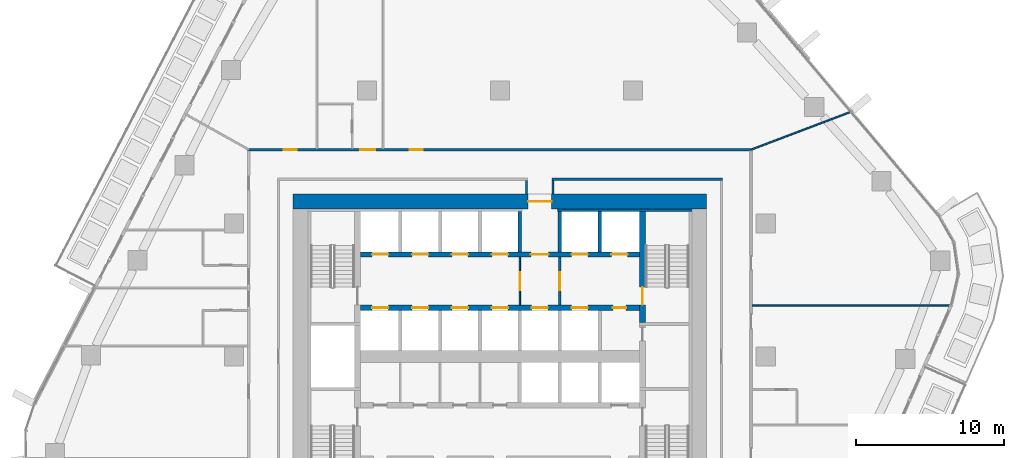
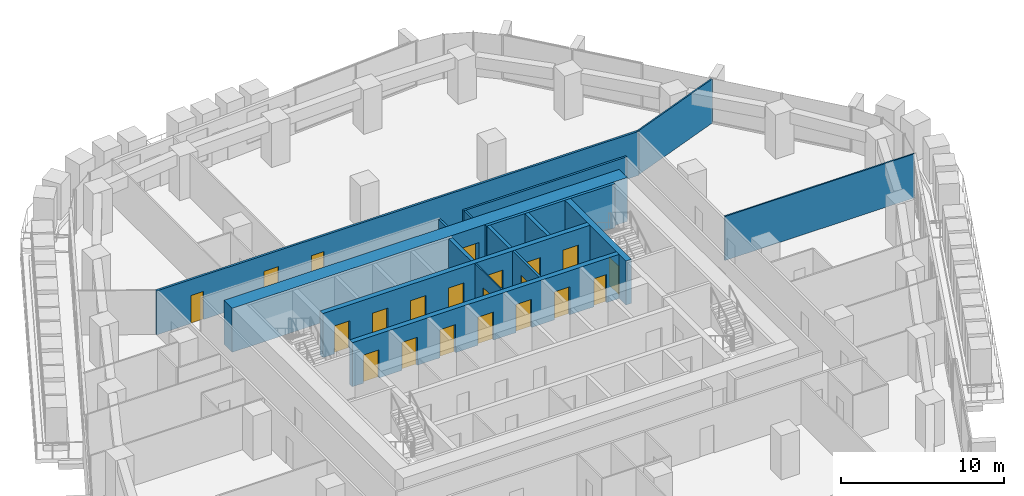
# One storey, part 16 of 23: 21 doors, 16 walls, 21 openings.
"""IFC4 building model written with IfcOpenShell, lengths in metres."""

from ifc_helpers import new_model, si_unit, direction, frame, frame_2d, origin, place, context, subcontext, project, spatial, rectangle, extrude, material, layer, layer_set, type_object, element, fill, save


model = new_model("IFC4")

# Units and contexts
model_context = context("Model", 3, precision=1e-05, world=origin(), true_north=direction((0.0, 1.0)))
body_context = subcontext(model_context, "Body", "Model", "MODEL_VIEW")
ifc_project = project(units=[si_unit("LENGTHUNIT", "METRE"), si_unit("AREAUNIT", "SQUARE_METRE"), si_unit("VOLUMEUNIT", "CUBIC_METRE"), si_unit("PLANEANGLEUNIT", "RADIAN"), si_unit("MASSUNIT", "GRAM", prefix="KILO")], contexts=[model_context])

# Site, building, storey
site_placement = place(None, origin())
site = spatial("IfcSite", under=ifc_project, at=site_placement, CompositionType="ELEMENT")
building_placement = place(site_placement, origin())
building = spatial("IfcBuilding", under=site, at=building_placement, Name="Dongbaek Canopy Tower", CompositionType="ELEMENT")
storey_placement = place(building_placement, frame((0.0, 0.0, 132.199951171875)))
storey = spatial("IfcBuildingStorey", under=building, at=storey_placement, Name="L29", CompositionType="ELEMENT", Elevation=132.199951171875)

# Wall, openings, doors
ifc_material_1 = material(Name="Concrete C60/75", Category="concrete")
ifc_layer_1 = layer(ifc_material_1, 0.35009765625)
ifc_layer_set_1 = layer_set([ifc_layer_1], Name="Core lobby wall 350 Concrete C60/75")
wall_type_1 = type_object("IfcWallType", Name="Core lobby wall 350 Concrete C60/75", PredefinedType="SHEAR", material=ifc_layer_set_1)
wall_1_placement = place(storey_placement, frame((-9.449951171875, 6.89990234375, 0.0), z_axis=(0.0, 0.0, 1.0), x_axis=(1.0, 0.0, 0.0)))
wall_1 = element("IfcWall", 1, at=wall_1_placement, inside=storey, type_object=wall_type_1, Name="Core wall", PredefinedType="SHEAR", context=body_context, shape_type="SweptSolid", body=[
    extrude(rectangle(XDim=18.89990234375, YDim=0.35009765625, at=frame_2d((9.449951171875, 0.0))), origin(), (0.0, 0.0, 1.0), 3.300048828125),
])
opening_1_placement = place(wall_1_placement, frame((0.800048828125, 0.0, 0.0)))
opening_1 = element("IfcOpeningElement", 2, at=opening_1_placement, cuts=wall_1, Name="Opening L29-D026", PredefinedType="OPENING", context=body_context, shape_type="SweptSolid", body=[
    extrude(rectangle(XDim=1.10009765625, YDim=2.10009765625, at=frame_2d((0.550048828125, 1.050048828125))), frame((0.0, 0.18505859375, 0.0), z_axis=(0.0, -1.0, 0.0), x_axis=(1.0, 0.0, 0.0)), (0.0, 0.0, 1.0), 0.3701171875),
])
opening_2_placement = place(wall_1_placement, frame((3.5, 0.0, 0.0)))
opening_2 = element("IfcOpeningElement", 3, at=opening_2_placement, cuts=wall_1, Name="Opening L29-D027", PredefinedType="OPENING", context=body_context, shape_type="SweptSolid", body=[
    extrude(rectangle(XDim=1.10009765625, YDim=2.10009765625, at=frame_2d((0.550048828125, 1.050048828125))), frame((0.0, 0.18505859375, 0.0), z_axis=(0.0, -1.0, 0.0), x_axis=(1.0, 0.0, 0.0)), (0.0, 0.0, 1.0), 0.3701171875),
])
opening_3_placement = place(wall_1_placement, frame((6.199951171875, 0.0, 0.0)))
opening_3 = element("IfcOpeningElement", 4, at=opening_3_placement, cuts=wall_1, Name="Opening L29-D028", PredefinedType="OPENING", context=body_context, shape_type="SweptSolid", body=[
    extrude(rectangle(XDim=1.10009765625, YDim=2.10009765625, at=frame_2d((0.550048828125, 1.050048828125))), frame((0.0, 0.18505859375, 0.0), z_axis=(0.0, -1.0, 0.0), x_axis=(1.0, 0.0, 0.0)), (0.0, 0.0, 1.0), 0.3701171875),
])
opening_4_placement = place(wall_1_placement, frame((8.89990234375, 0.0, 0.0)))
opening_4 = element("IfcOpeningElement", 5, at=opening_4_placement, cuts=wall_1, Name="Opening L29-D029", PredefinedType="OPENING", context=body_context, shape_type="SweptSolid", body=[
    extrude(rectangle(XDim=1.10009765625, YDim=2.10009765625, at=frame_2d((0.550048828125, 1.050048828125))), frame((0.0, 0.18505859375, 0.0), z_axis=(0.0, -1.0, 0.0), x_axis=(1.0, 0.0, 0.0)), (0.0, 0.0, 1.0), 0.3701171875),
])
opening_5_placement = place(wall_1_placement, frame((11.550048828125, 0.0, 0.0)))
opening_5 = element("IfcOpeningElement", 6, at=opening_5_placement, cuts=wall_1, Name="Opening L29-D031", PredefinedType="OPENING", context=body_context, shape_type="SweptSolid", body=[
    extrude(rectangle(XDim=1.199951171875, YDim=2.10009765625, at=frame_2d((0.60009765625, 1.050048828125))), frame((0.0, 0.18505859375, 0.0), z_axis=(0.0, -1.0, 0.0), x_axis=(1.0, 0.0, 0.0)), (0.0, 0.0, 1.0), 0.3701171875),
])
opening_6_placement = place(wall_1_placement, frame((14.300048828125, 0.0, 0.0)))
opening_6 = element("IfcOpeningElement", 7, at=opening_6_placement, cuts=wall_1, Name="Opening L29-D032", PredefinedType="OPENING", context=body_context, shape_type="SweptSolid", body=[
    extrude(rectangle(XDim=1.10009765625, YDim=2.10009765625, at=frame_2d((0.550048828125, 1.050048828125))), frame((0.0, 0.18505859375, 0.0), z_axis=(0.0, -1.0, 0.0), x_axis=(1.0, 0.0, 0.0)), (0.0, 0.0, 1.0), 0.3701171875),
])
opening_7_placement = place(wall_1_placement, frame((17.0, 0.0, 0.0)))
opening_7 = element("IfcOpeningElement", 8, at=opening_7_placement, cuts=wall_1, Name="Opening L29-D033", PredefinedType="OPENING", context=body_context, shape_type="SweptSolid", body=[
    extrude(rectangle(XDim=1.10009765625, YDim=2.10009765625, at=frame_2d((0.550048828125, 1.050048828125))), frame((0.0, 0.18505859375, 0.0), z_axis=(0.0, -1.0, 0.0), x_axis=(1.0, 0.0, 0.0)), (0.0, 0.0, 1.0), 0.3701171875),
])
ifc_material_2 = material(Name="Steel", Category="steel")
door_type_1 = type_object("IfcDoorType", Name="Fire lobby door 1200 x 2100", OperationType="SINGLE_SWING_LEFT", PredefinedType="DOOR", material=ifc_material_2)
door_1_placement = place(opening_5_placement, origin())
door_1 = element("IfcDoor", 9, at=door_1_placement, inside=storey, type_object=door_type_1, Name="Door L29-D031", OperationType="SINGLE_SWING_LEFT", OverallHeight=2.10009765625, OverallWidth=1.199951171875, PredefinedType="DOOR", context=body_context, shape_type="SweptSolid", body=[
    extrude(rectangle(XDim=1.199951171875, YDim=2.10009765625, at=frame_2d((0.60009765625, 1.050048828125))), frame((0.0, 0.02490234375, 0.0), z_axis=(0.0, -1.0, 0.0), x_axis=(1.0, 0.0, 0.0)), (0.0, 0.0, 1.0), 0.050048828125),
])
fill(opening_5, door_1)
ifc_material_3 = material(Name="Stainless steel", Category="steel")
door_type_2 = type_object("IfcDoorType", Name="Lift landing door 1100 x 2100", OperationType="DOUBLE_DOOR_SLIDING", PredefinedType="DOOR", material=ifc_material_3)
door_2_placement = place(opening_1_placement, origin())
door_2 = element("IfcDoor", 10, at=door_2_placement, inside=storey, type_object=door_type_2, Name="Landing door LR1", OperationType="DOUBLE_DOOR_SLIDING", OverallHeight=2.10009765625, OverallWidth=1.10009765625, PredefinedType="DOOR", context=body_context, shape_type="SweptSolid", body=[
    extrude(rectangle(XDim=1.10009765625, YDim=2.10009765625, at=frame_2d((0.550048828125, 1.050048828125))), frame((0.0, 0.02490234375, 0.0), z_axis=(0.0, -1.0, 0.0), x_axis=(1.0, 0.0, 0.0)), (0.0, 0.0, 1.0), 0.050048828125),
])
fill(opening_1, door_2)
door_3_placement = place(opening_2_placement, origin())
door_3 = element("IfcDoor", 11, at=door_3_placement, inside=storey, type_object=door_type_2, Name="Landing door LR2", OperationType="DOUBLE_DOOR_SLIDING", OverallHeight=2.10009765625, OverallWidth=1.10009765625, PredefinedType="DOOR", context=body_context, shape_type="SweptSolid", body=[
    extrude(rectangle(XDim=1.10009765625, YDim=2.10009765625, at=frame_2d((0.550048828125, 1.050048828125))), frame((0.0, 0.02490234375, 0.0), z_axis=(0.0, -1.0, 0.0), x_axis=(1.0, 0.0, 0.0)), (0.0, 0.0, 1.0), 0.050048828125),
])
fill(opening_2, door_3)
door_4_placement = place(opening_3_placement, origin())
door_4 = element("IfcDoor", 12, at=door_4_placement, inside=storey, type_object=door_type_2, Name="Landing door LR3", OperationType="DOUBLE_DOOR_SLIDING", OverallHeight=2.10009765625, OverallWidth=1.10009765625, PredefinedType="DOOR", context=body_context, shape_type="SweptSolid", body=[
    extrude(rectangle(XDim=1.10009765625, YDim=2.10009765625, at=frame_2d((0.550048828125, 1.050048828125))), frame((0.0, 0.02490234375, 0.0), z_axis=(0.0, -1.0, 0.0), x_axis=(1.0, 0.0, 0.0)), (0.0, 0.0, 1.0), 0.050048828125),
])
fill(opening_3, door_4)
door_5_placement = place(opening_4_placement, origin())
door_5 = element("IfcDoor", 13, at=door_5_placement, inside=storey, type_object=door_type_2, Name="Landing door LR4", OperationType="DOUBLE_DOOR_SLIDING", OverallHeight=2.10009765625, OverallWidth=1.10009765625, PredefinedType="DOOR", context=body_context, shape_type="SweptSolid", body=[
    extrude(rectangle(XDim=1.10009765625, YDim=2.10009765625, at=frame_2d((0.550048828125, 1.050048828125))), frame((0.0, 0.02490234375, 0.0), z_axis=(0.0, -1.0, 0.0), x_axis=(1.0, 0.0, 0.0)), (0.0, 0.0, 1.0), 0.050048828125),
])
fill(opening_4, door_5)
door_6_placement = place(opening_6_placement, origin())
door_6 = element("IfcDoor", 14, at=door_6_placement, inside=storey, type_object=door_type_2, Name="Landing door FF1", OperationType="DOUBLE_DOOR_SLIDING", OverallHeight=2.10009765625, OverallWidth=1.10009765625, PredefinedType="DOOR", context=body_context, shape_type="SweptSolid", body=[
    extrude(rectangle(XDim=1.10009765625, YDim=2.10009765625, at=frame_2d((0.550048828125, 1.050048828125))), frame((0.0, 0.02490234375, 0.0), z_axis=(0.0, -1.0, 0.0), x_axis=(1.0, 0.0, 0.0)), (0.0, 0.0, 1.0), 0.050048828125),
])
fill(opening_6, door_6)
door_7_placement = place(opening_7_placement, origin())
door_7 = element("IfcDoor", 15, at=door_7_placement, inside=storey, type_object=door_type_2, Name="Landing door FF2", OperationType="DOUBLE_DOOR_SLIDING", OverallHeight=2.10009765625, OverallWidth=1.10009765625, PredefinedType="DOOR", context=body_context, shape_type="SweptSolid", body=[
    extrude(rectangle(XDim=1.10009765625, YDim=2.10009765625, at=frame_2d((0.550048828125, 1.050048828125))), frame((0.0, 0.02490234375, 0.0), z_axis=(0.0, -1.0, 0.0), x_axis=(1.0, 0.0, 0.0)), (0.0, 0.0, 1.0), 0.050048828125),
])
fill(opening_7, door_7)

wall_2_placement = place(storey_placement, frame((9.449951171875, 3.300048828125, 0.0), z_axis=(0.0, 0.0, 1.0), x_axis=(-1.0, 0.0, 0.0)))
wall_2 = element("IfcWall", 16, at=wall_2_placement, inside=storey, type_object=wall_type_1, Name="Core wall", PredefinedType="SHEAR", context=body_context, shape_type="SweptSolid", body=[
    extrude(rectangle(XDim=18.89990234375, YDim=0.35009765625, at=frame_2d((9.449951171875, 0.0))), origin(), (0.0, 0.0, 1.0), 3.300048828125),
])
opening_8_placement = place(wall_2_placement, frame((17.0, 0.0, 0.0)))
opening_8 = element("IfcOpeningElement", 17, at=opening_8_placement, cuts=wall_2, Name="Opening L29-D034", PredefinedType="OPENING", context=body_context, shape_type="SweptSolid", body=[
    extrude(rectangle(XDim=1.10009765625, YDim=2.10009765625, at=frame_2d((0.550048828125, 1.050048828125))), frame((0.0, 0.18505859375, 0.0), z_axis=(0.0, -1.0, 0.0), x_axis=(1.0, 0.0, 0.0)), (0.0, 0.0, 1.0), 0.3701171875),
])
opening_9_placement = place(wall_2_placement, frame((14.300048828125, 0.0, 0.0)))
opening_9 = element("IfcOpeningElement", 18, at=opening_9_placement, cuts=wall_2, Name="Opening L29-D035", PredefinedType="OPENING", context=body_context, shape_type="SweptSolid", body=[
    extrude(rectangle(XDim=1.10009765625, YDim=2.10009765625, at=frame_2d((0.550048828125, 1.050048828125))), frame((0.0, 0.18505859375, 0.0), z_axis=(0.0, -1.0, 0.0), x_axis=(1.0, 0.0, 0.0)), (0.0, 0.0, 1.0), 0.3701171875),
])
opening_10_placement = place(wall_2_placement, frame((11.60009765625, 0.0, 0.0)))
opening_10 = element("IfcOpeningElement", 19, at=opening_10_placement, cuts=wall_2, Name="Opening L29-D036", PredefinedType="OPENING", context=body_context, shape_type="SweptSolid", body=[
    extrude(rectangle(XDim=1.10009765625, YDim=2.10009765625, at=frame_2d((0.550048828125, 1.050048828125))), frame((0.0, 0.18505859375, 0.0), z_axis=(0.0, -1.0, 0.0), x_axis=(1.0, 0.0, 0.0)), (0.0, 0.0, 1.0), 0.3701171875),
])
opening_11_placement = place(wall_2_placement, frame((8.89990234375, 0.0, 0.0)))
opening_11 = element("IfcOpeningElement", 20, at=opening_11_placement, cuts=wall_2, Name="Opening L29-D037", PredefinedType="OPENING", context=body_context, shape_type="SweptSolid", body=[
    extrude(rectangle(XDim=1.10009765625, YDim=2.10009765625, at=frame_2d((0.550048828125, 1.050048828125))), frame((0.0, 0.18505859375, 0.0), z_axis=(0.0, -1.0, 0.0), x_axis=(1.0, 0.0, 0.0)), (0.0, 0.0, 1.0), 0.3701171875),
])
opening_12_placement = place(wall_2_placement, frame((6.199951171875, 0.0, 0.0)))
opening_12 = element("IfcOpeningElement", 21, at=opening_12_placement, cuts=wall_2, Name="Opening L29-D038", PredefinedType="OPENING", context=body_context, shape_type="SweptSolid", body=[
    extrude(rectangle(XDim=1.10009765625, YDim=2.10009765625, at=frame_2d((0.550048828125, 1.050048828125))), frame((0.0, 0.18505859375, 0.0), z_axis=(0.0, -1.0, 0.0), x_axis=(1.0, 0.0, 0.0)), (0.0, 0.0, 1.0), 0.3701171875),
])
opening_13_placement = place(wall_2_placement, frame((3.5, 0.0, 0.0)))
opening_13 = element("IfcOpeningElement", 22, at=opening_13_placement, cuts=wall_2, Name="Opening L29-D039", PredefinedType="OPENING", context=body_context, shape_type="SweptSolid", body=[
    extrude(rectangle(XDim=1.10009765625, YDim=2.10009765625, at=frame_2d((0.550048828125, 1.050048828125))), frame((0.0, 0.18505859375, 0.0), z_axis=(0.0, -1.0, 0.0), x_axis=(1.0, 0.0, 0.0)), (0.0, 0.0, 1.0), 0.3701171875),
])
opening_14_placement = place(wall_2_placement, frame((0.89990234375, 0.0, 0.0)))
opening_14 = element("IfcOpeningElement", 23, at=opening_14_placement, cuts=wall_2, Name="Opening L29-D040", PredefinedType="OPENING", context=body_context, shape_type="SweptSolid", body=[
    extrude(rectangle(XDim=0.89990234375, YDim=2.10009765625, at=frame_2d((0.449951171875, 1.050048828125))), frame((0.0, 0.18505859375, 0.0), z_axis=(0.0, -1.0, 0.0), x_axis=(1.0, 0.0, 0.0)), (0.0, 0.0, 1.0), 0.3701171875),
])
ifc_material_4 = material(Name="Steel", Category="steel")
door_type_3 = type_object("IfcDoorType", Name="Core room door 900 x 2100", OperationType="SINGLE_SWING_LEFT", PredefinedType="DOOR", material=ifc_material_4)
door_8_placement = place(opening_14_placement, origin())
door_8 = element("IfcDoor", 24, at=door_8_placement, inside=storey, type_object=door_type_3, Name="Door L29-D040", OperationType="SINGLE_SWING_LEFT", OverallHeight=2.10009765625, OverallWidth=0.89990234375, PredefinedType="DOOR", context=body_context, shape_type="SweptSolid", body=[
    extrude(rectangle(XDim=0.89990234375, YDim=2.10009765625, at=frame_2d((0.449951171875, 1.050048828125))), frame((0.0, 0.02490234375, 0.0), z_axis=(0.0, -1.0, 0.0), x_axis=(1.0, 0.0, 0.0)), (0.0, 0.0, 1.0), 0.050048828125),
])
fill(opening_14, door_8)
door_9_placement = place(opening_8_placement, origin())
door_9 = element("IfcDoor", 25, at=door_9_placement, inside=storey, type_object=door_type_2, Name="Landing door LR5", OperationType="DOUBLE_DOOR_SLIDING", OverallHeight=2.10009765625, OverallWidth=1.10009765625, PredefinedType="DOOR", context=body_context, shape_type="SweptSolid", body=[
    extrude(rectangle(XDim=1.10009765625, YDim=2.10009765625, at=frame_2d((0.550048828125, 1.050048828125))), frame((0.0, 0.02490234375, 0.0), z_axis=(0.0, -1.0, 0.0), x_axis=(1.0, 0.0, 0.0)), (0.0, 0.0, 1.0), 0.050048828125),
])
fill(opening_8, door_9)
door_10_placement = place(opening_9_placement, origin())
door_10 = element("IfcDoor", 26, at=door_10_placement, inside=storey, type_object=door_type_2, Name="Landing door LR6", OperationType="DOUBLE_DOOR_SLIDING", OverallHeight=2.10009765625, OverallWidth=1.10009765625, PredefinedType="DOOR", context=body_context, shape_type="SweptSolid", body=[
    extrude(rectangle(XDim=1.10009765625, YDim=2.10009765625, at=frame_2d((0.550048828125, 1.050048828125))), frame((0.0, 0.02490234375, 0.0), z_axis=(0.0, -1.0, 0.0), x_axis=(1.0, 0.0, 0.0)), (0.0, 0.0, 1.0), 0.050048828125),
])
fill(opening_9, door_10)
door_11_placement = place(opening_10_placement, origin())
door_11 = element("IfcDoor", 27, at=door_11_placement, inside=storey, type_object=door_type_2, Name="Landing door LR7", OperationType="DOUBLE_DOOR_SLIDING", OverallHeight=2.10009765625, OverallWidth=1.10009765625, PredefinedType="DOOR", context=body_context, shape_type="SweptSolid", body=[
    extrude(rectangle(XDim=1.10009765625, YDim=2.10009765625, at=frame_2d((0.550048828125, 1.050048828125))), frame((0.0, 0.02490234375, 0.0), z_axis=(0.0, -1.0, 0.0), x_axis=(1.0, 0.0, 0.0)), (0.0, 0.0, 1.0), 0.050048828125),
])
fill(opening_10, door_11)
door_12_placement = place(opening_11_placement, origin())
door_12 = element("IfcDoor", 28, at=door_12_placement, inside=storey, type_object=door_type_2, Name="Landing door LR8", OperationType="DOUBLE_DOOR_SLIDING", OverallHeight=2.10009765625, OverallWidth=1.10009765625, PredefinedType="DOOR", context=body_context, shape_type="SweptSolid", body=[
    extrude(rectangle(XDim=1.10009765625, YDim=2.10009765625, at=frame_2d((0.550048828125, 1.050048828125))), frame((0.0, 0.02490234375, 0.0), z_axis=(0.0, -1.0, 0.0), x_axis=(1.0, 0.0, 0.0)), (0.0, 0.0, 1.0), 0.050048828125),
])
fill(opening_11, door_12)
door_13_placement = place(opening_12_placement, origin())
door_13 = element("IfcDoor", 29, at=door_13_placement, inside=storey, type_object=door_type_2, Name="Landing door SV1", OperationType="DOUBLE_DOOR_SLIDING", OverallHeight=2.10009765625, OverallWidth=1.10009765625, PredefinedType="DOOR", context=body_context, shape_type="SweptSolid", body=[
    extrude(rectangle(XDim=1.10009765625, YDim=2.10009765625, at=frame_2d((0.550048828125, 1.050048828125))), frame((0.0, 0.02490234375, 0.0), z_axis=(0.0, -1.0, 0.0), x_axis=(1.0, 0.0, 0.0)), (0.0, 0.0, 1.0), 0.050048828125),
])
fill(opening_12, door_13)
door_14_placement = place(opening_13_placement, origin())
door_14 = element("IfcDoor", 30, at=door_14_placement, inside=storey, type_object=door_type_2, Name="Landing door FF3", OperationType="DOUBLE_DOOR_SLIDING", OverallHeight=2.10009765625, OverallWidth=1.10009765625, PredefinedType="DOOR", context=body_context, shape_type="SweptSolid", body=[
    extrude(rectangle(XDim=1.10009765625, YDim=2.10009765625, at=frame_2d((0.550048828125, 1.050048828125))), frame((0.0, 0.02490234375, 0.0), z_axis=(0.0, -1.0, 0.0), x_axis=(1.0, 0.0, 0.0)), (0.0, 0.0, 1.0), 0.050048828125),
])
fill(opening_13, door_14)

# Wall, opening, door
ifc_material_5 = material(Name="Concrete C60/75", Category="concrete")
ifc_layer_2 = layer(ifc_material_5, 1.0)
ifc_layer_set_2 = layer_set([ifc_layer_2], Name="Core outer wall 1000 Concrete C60/75")
wall_type_2 = type_object("IfcWallType", Name="Core outer wall 1000 Concrete C60/75", PredefinedType="SHEAR", material=ifc_layer_set_2)
wall_3_placement = place(storey_placement, frame((-14.0, 10.5, 0.0), z_axis=(0.0, 0.0, 1.0), x_axis=(1.0, 0.0, 0.0)))
wall_3 = element("IfcWall", 31, at=wall_3_placement, inside=storey, type_object=wall_type_2, Name="Core wall", PredefinedType="SHEAR", context=body_context, shape_type="SweptSolid", body=[
    extrude(rectangle(XDim=28.0, YDim=1.0, at=frame_2d((14.0, 0.0))), origin(), (0.0, 0.0, 1.0), 3.300048828125),
])
opening_15_placement = place(wall_3_placement, frame((15.89990234375, 0.0, 0.0)))
opening_15 = element("IfcOpeningElement", 32, at=opening_15_placement, cuts=wall_3, Name="Opening L29-D030", PredefinedType="OPENING", context=body_context, shape_type="SweptSolid", body=[
    extrude(rectangle(XDim=1.60009765625, YDim=2.10009765625, at=frame_2d((0.800048828125, 1.050048828125))), frame((0.0, 0.510009765625, 0.0), z_axis=(0.0, -1.0, 0.0), x_axis=(1.0, 0.0, 0.0)), (0.0, 0.0, 1.0), 1.02001953125),
])
ifc_material_6 = material(Name="Steel", Category="steel")
door_type_4 = type_object("IfcDoorType", Name="Core exit door 1600 x 2100", OperationType="DOUBLE_DOOR_SINGLE_SWING", PredefinedType="DOOR", material=ifc_material_6)
door_15_placement = place(opening_15_placement, origin())
door_15 = element("IfcDoor", 33, at=door_15_placement, inside=storey, type_object=door_type_4, Name="Core exit door", OperationType="DOUBLE_DOOR_SINGLE_SWING", OverallHeight=2.10009765625, OverallWidth=1.60009765625, PredefinedType="DOOR", context=body_context, shape_type="SweptSolid", body=[
    extrude(rectangle(XDim=1.60009765625, YDim=2.10009765625, at=frame_2d((0.800048828125, 1.050048828125))), frame((0.0, 0.02490234375, 0.0), z_axis=(0.0, -1.0, 0.0), x_axis=(1.0, 0.0, 0.0)), (0.0, 0.0, 1.0), 0.050048828125),
])
fill(opening_15, door_15)

# Walls
ifc_material_7 = material(Name="Concrete C60/75", Category="concrete")
ifc_layer_3 = layer(ifc_material_7, 0.199951171875)
ifc_layer_set_3 = layer_set([ifc_layer_3], Name="Core wall lining 200 Concrete C60/75")
wall_type_3 = type_object("IfcWallType", Name="Core wall lining 200 Concrete C60/75", PredefinedType="SHEAR", material=ifc_layer_set_3)
wall_4_placement = place(storey_placement, frame((3.89990234375, 9.89990234375, 0.0), z_axis=(0.0, 0.0, 1.0), x_axis=(1.0, 0.0, 0.0)))
element("IfcWall", 34, at=wall_4_placement, inside=storey, type_object=wall_type_3, Name="Core wall lining", PredefinedType="SHEAR", context=body_context, shape_type="SweptSolid", body=[
    extrude(rectangle(XDim=9.10009765625, YDim=0.199951171875, at=frame_2d((4.550048828125, 0.0))), origin(), (0.0, 0.0, 1.0), 3.300048828125),
])
ifc_material_8 = material(Name="Gypsum board partition, steel stud, 2 x 15 mm fire board", Category="steel")
ifc_layer_4 = layer(ifc_material_8, 0.14990234375)
ifc_layer_set_4 = layer_set([ifc_layer_4], Name="Fire-rated partition 150 gypsum board")
wall_type_4 = type_object("IfcWallType", Name="Fire-rated partition 150 gypsum board", PredefinedType="PARTITIONING", material=ifc_layer_set_4)
wall_5_placement = place(storey_placement, frame((3.52490234375, 12.0, 0.0), z_axis=(0.0, 0.0, 1.0), x_axis=(1.0, 0.0, 0.0)))
element("IfcWall", 35, at=wall_5_placement, inside=storey, type_object=wall_type_4, Name="Corridor partition", PredefinedType="PARTITIONING", context=body_context, shape_type="SweptSolid", body=[
    extrude(rectangle(XDim=11.550048828125, YDim=0.14990234375, at=frame_2d((5.77490234375, 0.0))), origin(), (0.0, 0.0, 1.0), 3.300048828125),
])

# Wall, openings, doors
wall_6_placement = place(storey_placement, frame((-17.074951171875, 14.0, 0.0), z_axis=(0.0, 0.0, 1.0), x_axis=(1.0, 0.0, 0.0)))
wall_6 = element("IfcWall", 36, at=wall_6_placement, inside=storey, type_object=wall_type_4, Name="Corridor partition", PredefinedType="PARTITIONING", context=body_context, shape_type="SweptSolid", body=[
    extrude(rectangle(XDim=34.14990234375, YDim=0.14990234375, at=frame_2d((17.074951171875, 0.0))), origin(), (0.0, 0.0, 1.0), 3.300048828125),
])
opening_16_placement = place(wall_6_placement, frame((10.953857421875, 0.0, 0.0)))
opening_16 = element("IfcOpeningElement", 37, at=opening_16_placement, cuts=wall_6, Name="Opening L29-D014", PredefinedType="OPENING", context=body_context, shape_type="SweptSolid", body=[
    extrude(rectangle(XDim=0.89990234375, YDim=2.10009765625, at=frame_2d((0.449951171875, 1.050048828125))), frame((0.0, 0.0849609375, 0.0), z_axis=(0.0, -1.0, 0.0), x_axis=(1.0, 0.0, 0.0)), (0.0, 0.0, 1.0), 0.169921875),
])
opening_17_placement = place(wall_6_placement, frame((7.617431640625, 0.0, 0.0)))
opening_17 = element("IfcOpeningElement", 38, at=opening_17_placement, cuts=wall_6, Name="Opening L29-D016", PredefinedType="OPENING", context=body_context, shape_type="SweptSolid", body=[
    extrude(rectangle(XDim=1.0, YDim=2.10009765625, at=frame_2d((0.5, 1.050048828125))), frame((0.0, 0.0849609375, 0.0), z_axis=(0.0, -1.0, 0.0), x_axis=(1.0, 0.0, 0.0)), (0.0, 0.0, 1.0), 0.169921875),
])
opening_18_placement = place(wall_6_placement, frame((2.42529296875, 0.0, 0.0)))
opening_18 = element("IfcOpeningElement", 39, at=opening_18_placement, cuts=wall_6, Name="Opening L29-D017", PredefinedType="OPENING", context=body_context, shape_type="SweptSolid", body=[
    extrude(rectangle(XDim=0.89990234375, YDim=2.10009765625, at=frame_2d((0.449951171875, 1.050048828125))), frame((0.0, 0.0849609375, 0.0), z_axis=(0.0, -1.0, 0.0), x_axis=(1.0, 0.0, 0.0)), (0.0, 0.0, 1.0), 0.169921875),
])
ifc_material_9 = material(Name="Timber veneered door leaf", Category="wood")
door_type_5 = type_object("IfcDoorType", Name="Guest room door 1000 x 2100", OperationType="SINGLE_SWING_LEFT", PredefinedType="DOOR", material=ifc_material_9)
door_16_placement = place(opening_17_placement, origin())
door_16 = element("IfcDoor", 40, at=door_16_placement, inside=storey, type_object=door_type_5, Name="Door L29-D016", OperationType="SINGLE_SWING_LEFT", OverallHeight=2.10009765625, OverallWidth=1.0, PredefinedType="DOOR", context=body_context, shape_type="SweptSolid", body=[
    extrude(rectangle(XDim=1.0, YDim=2.10009765625, at=frame_2d((0.5, 1.050048828125))), frame((0.0, 0.02490234375, 0.0), z_axis=(0.0, -1.0, 0.0), x_axis=(1.0, 0.0, 0.0)), (0.0, 0.0, 1.0), 0.050048828125),
])
fill(opening_17, door_16)
ifc_material_10 = material(Name="Timber veneered door leaf", Category="wood")
door_type_6 = type_object("IfcDoorType", Name="Room door 900 x 2100", OperationType="SINGLE_SWING_LEFT", PredefinedType="DOOR", material=ifc_material_10)
door_17_placement = place(opening_16_placement, origin())
door_17 = element("IfcDoor", 41, at=door_17_placement, inside=storey, type_object=door_type_6, Name="Door L29-D014", OperationType="SINGLE_SWING_RIGHT", OverallHeight=2.10009765625, OverallWidth=0.89990234375, PredefinedType="DOOR", context=body_context, shape_type="SweptSolid", body=[
    extrude(rectangle(XDim=0.89990234375, YDim=2.10009765625, at=frame_2d((0.449951171875, 1.050048828125))), frame((0.0, 0.02490234375, 0.0), z_axis=(0.0, -1.0, 0.0), x_axis=(1.0, 0.0, 0.0)), (0.0, 0.0, 1.0), 0.050048828125),
])
fill(opening_16, door_17)
door_18_placement = place(opening_18_placement, origin())
door_18 = element("IfcDoor", 42, at=door_18_placement, inside=storey, type_object=door_type_6, Name="Door L29-D017", OperationType="SINGLE_SWING_RIGHT", OverallHeight=2.10009765625, OverallWidth=0.89990234375, PredefinedType="DOOR", context=body_context, shape_type="SweptSolid", body=[
    extrude(rectangle(XDim=0.89990234375, YDim=2.10009765625, at=frame_2d((0.449951171875, 1.050048828125))), frame((0.0, 0.02490234375, 0.0), z_axis=(0.0, -1.0, 0.0), x_axis=(1.0, 0.0, 0.0)), (0.0, 0.0, 1.0), 0.050048828125),
])
fill(opening_18, door_18)

# Walls
for number, where, z_axis, x_axis, name in (
    (43, (3.60009765625, 11.0, 0.0), (0.0, 0.0, 1.0), (0.0, 1.0, 0.0), "Corridor partition"),
    (44, (1.800048828125, 11.0, 0.0), (0.0, 0.0, 1.0), (0.0, 1.0, 0.0), "Corridor partition"),
):
    element("IfcWall", number, at=place(storey_placement, frame(where, z_axis=z_axis, x_axis=x_axis)), inside=storey, type_object=wall_type_4, Name=name, PredefinedType="PARTITIONING", context=body_context, shape_type="SweptSolid", body=[
        extrude(rectangle(XDim=0.925048828125, YDim=0.14990234375, at=frame_2d((0.46240234375, 0.0))), origin(), (0.0, 0.0, 1.0), 3.300048828125),
    ])

# Wall, opening, door
wall_7_placement = place(storey_placement, frame((4.050048828125, 6.72509765625, 0.0), z_axis=(0.0, 0.0, 1.0), x_axis=(0.0, -1.0, 0.0)))
wall_7 = element("IfcWall", 45, at=wall_7_placement, inside=storey, type_object=wall_type_4, Name="Fire lobby partition", PredefinedType="PARTITIONING", context=body_context, shape_type="SweptSolid", body=[
    extrude(rectangle(XDim=3.25, YDim=0.14990234375, at=frame_2d((1.625, 0.0))), origin(), (0.0, 0.0, 1.0), 3.300048828125),
])
opening_19_placement = place(wall_7_placement, frame((1.02490234375, 0.0, 0.0)))
opening_19 = element("IfcOpeningElement", 46, at=opening_19_placement, cuts=wall_7, Name="Opening L29-D056", PredefinedType="OPENING", context=body_context, shape_type="SweptSolid", body=[
    extrude(rectangle(XDim=1.199951171875, YDim=2.10009765625, at=frame_2d((0.60009765625, 1.050048828125))), frame((0.0, 0.0849609375, 0.0), z_axis=(0.0, -1.0, 0.0), x_axis=(1.0, 0.0, 0.0)), (0.0, 0.0, 1.0), 0.169921875),
])
door_19_placement = place(opening_19_placement, origin())
door_19 = element("IfcDoor", 47, at=door_19_placement, inside=storey, type_object=door_type_1, Name="Door L29-D056", OperationType="SINGLE_SWING_RIGHT", OverallHeight=2.10009765625, OverallWidth=1.199951171875, PredefinedType="DOOR", context=body_context, shape_type="SweptSolid", body=[
    extrude(rectangle(XDim=1.199951171875, YDim=2.10009765625, at=frame_2d((0.60009765625, 1.050048828125))), frame((0.0, 0.02490234375, 0.0), z_axis=(0.0, -1.0, 0.0), x_axis=(1.0, 0.0, 0.0)), (0.0, 0.0, 1.0), 0.050048828125),
])
fill(opening_19, door_19)

# Walls
ifc_material_11 = material(Name="Concrete C40/50", Category="concrete")
ifc_layer_5 = layer(ifc_material_11, 0.25)
ifc_layer_set_5 = layer_set([ifc_layer_5], Name="Lift shaft wall 250 Concrete C40/50")
wall_type_5 = type_object("IfcWallType", Name="Lift shaft wall 250 Concrete C40/50", PredefinedType="SOLIDWALL", material=ifc_layer_set_5)
for number, where, z_axis, x_axis, name in (
    (48, (6.75, 7.074951171875, 0.0), (0.0, 0.0, 1.0), (0.0, 1.0, 0.0), "Lift shaft wall"),
    (49, (4.050048828125, 7.074951171875, 0.0), (0.0, 0.0, 1.0), (0.0, 1.0, 0.0), "Lift shaft wall"),
    (50, (1.35009765625, 7.074951171875, 0.0), (0.0, 0.0, 1.0), (0.0, 1.0, 0.0), "Lift shaft wall"),
):
    element("IfcWall", number, at=place(storey_placement, frame(where, z_axis=z_axis, x_axis=x_axis)), inside=storey, type_object=wall_type_5, Name=name, PredefinedType="SOLIDWALL", context=body_context, shape_type="SweptSolid", body=[
        extrude(rectangle(XDim=2.72509765625, YDim=0.25, at=frame_2d((1.362548828125, 0.0))), origin(), (0.0, 0.0, 1.0), 3.300048828125),
    ])
ifc_material_12 = material(Name="Gypsum board partition, steel stud, 2 x 12.5 mm board", Category="steel")
ifc_layer_6 = layer(ifc_material_12, 0.10009765625)
ifc_layer_set_6 = layer_set([ifc_layer_6], Name="Partition 100 gypsum board")
wall_type_6 = type_object("IfcWallType", Name="Partition 100 gypsum board", PredefinedType="PARTITIONING", material=ifc_layer_set_6)
wall_8_placement = place(storey_placement, frame((17.074951171875, 3.43798828125, 0.0), z_axis=(0.0, 0.0, 1.0), x_axis=(1.0, 0.0, 0.0)))
element("IfcWall", 51, at=wall_8_placement, inside=storey, type_object=wall_type_6, Name="Partition", PredefinedType="PARTITIONING", context=body_context, shape_type="SweptSolid", body=[
    extrude(rectangle(XDim=13.436279296875, YDim=0.10009765625, at=frame_2d((6.71826171875, 0.0))), origin(), (0.0, 0.0, 1.0), 3.300048828125),
])
wall_9_placement = place(storey_placement, frame((17.0, 14.0, 0.0), z_axis=(0.0, 0.0, 1.0), x_axis=(0.934953139897, 0.354771230791, 0.0)))
element("IfcWall", 52, at=wall_9_placement, inside=storey, type_object=wall_type_6, Name="Partition", PredefinedType="PARTITIONING", context=body_context, shape_type="SweptSolid", body=[
    extrude(rectangle(XDim=7.23388671875, YDim=0.10009765625, at=frame_2d((3.616943359375, 0.0))), origin(), (0.0, 0.0, 1.0), 3.300048828125),
])

# Wall, opening, door
wall_10_placement = place(storey_placement, frame((1.35009765625, 6.72509765625, 0.0), z_axis=(0.0, 0.0, 1.0), x_axis=(0.0, -1.0, 0.0)))
wall_10 = element("IfcWall", 53, at=wall_10_placement, inside=storey, type_object=wall_type_6, Name="Core partition", PredefinedType="PARTITIONING", context=body_context, shape_type="SweptSolid", body=[
    extrude(rectangle(XDim=3.25, YDim=0.10009765625, at=frame_2d((1.625, 0.0))), origin(), (0.0, 0.0, 1.0), 3.300048828125),
])
opening_20_placement = place(wall_10_placement, frame((1.02490234375, 0.0, 0.0)))
opening_20 = element("IfcOpeningElement", 54, at=opening_20_placement, cuts=wall_10, Name="Opening L29-D055", PredefinedType="OPENING", context=body_context, shape_type="SweptSolid", body=[
    extrude(rectangle(XDim=1.199951171875, YDim=2.10009765625, at=frame_2d((0.60009765625, 1.050048828125))), frame((0.0, 0.06005859375, 0.0), z_axis=(0.0, -1.0, 0.0), x_axis=(1.0, 0.0, 0.0)), (0.0, 0.0, 1.0), 0.1201171875),
])
door_20_placement = place(opening_20_placement, origin())
door_20 = element("IfcDoor", 55, at=door_20_placement, inside=storey, type_object=door_type_1, Name="Door L29-D055", OperationType="SINGLE_SWING_LEFT", OverallHeight=2.10009765625, OverallWidth=1.199951171875, PredefinedType="DOOR", context=body_context, shape_type="SweptSolid", body=[
    extrude(rectangle(XDim=1.199951171875, YDim=2.10009765625, at=frame_2d((0.60009765625, 1.050048828125))), frame((0.0, 0.02490234375, 0.0), z_axis=(0.0, -1.0, 0.0), x_axis=(1.0, 0.0, 0.0)), (0.0, 0.0, 1.0), 0.050048828125),
])
fill(opening_20, door_20)

ifc_material_13 = material(Name="Concrete C60/75", Category="concrete")
ifc_layer_7 = layer(ifc_material_13, 0.39990234375)
ifc_layer_set_7 = layer_set([ifc_layer_7], Name="Stair wall 400 Concrete C60/75")
wall_type_7 = type_object("IfcWallType", Name="Stair wall 400 Concrete C60/75", PredefinedType="SHEAR", material=ifc_layer_set_7)
wall_11_placement = place(storey_placement, frame((9.64990234375, 9.800048828125, 0.0), z_axis=(0.0, 0.0, 1.0), x_axis=(0.0, -1.0, 0.0)))
wall_11 = element("IfcWall", 56, at=wall_11_placement, inside=storey, type_object=wall_type_7, Name="Stair wall", PredefinedType="SHEAR", context=body_context, shape_type="SweptSolid", body=[
    extrude(rectangle(XDim=7.5, YDim=0.39990234375, at=frame_2d((3.75, 0.0))), origin(), (0.0, 0.0, 1.0), 3.300048828125),
])
opening_21_placement = place(wall_11_placement, frame((5.10009765625, 0.0, 0.0)))
opening_21 = element("IfcOpeningElement", 57, at=opening_21_placement, cuts=wall_11, Name="Opening L29-D051", PredefinedType="OPENING", context=body_context, shape_type="SweptSolid", body=[
    extrude(rectangle(XDim=1.199951171875, YDim=2.10009765625, at=frame_2d((0.60009765625, 1.050048828125))), frame((0.0, 0.2099609375, 0.0), z_axis=(0.0, -1.0, 0.0), x_axis=(1.0, 0.0, 0.0)), (0.0, 0.0, 1.0), 0.419921875),
])
ifc_material_14 = material(Name="Steel", Category="steel")
door_type_7 = type_object("IfcDoorType", Name="Stair door 1200 x 2100", OperationType="SINGLE_SWING_LEFT", PredefinedType="DOOR", material=ifc_material_14)
door_21_placement = place(opening_21_placement, origin())
door_21 = element("IfcDoor", 58, at=door_21_placement, inside=storey, type_object=door_type_7, Name="Stair A door", OperationType="SINGLE_SWING_LEFT", OverallHeight=2.10009765625, OverallWidth=1.199951171875, PredefinedType="DOOR", context=body_context, shape_type="SweptSolid", body=[
    extrude(rectangle(XDim=1.199951171875, YDim=2.10009765625, at=frame_2d((0.60009765625, 1.050048828125))), frame((0.0, 0.02490234375, 0.0), z_axis=(0.0, -1.0, 0.0), x_axis=(1.0, 0.0, 0.0)), (0.0, 0.0, 1.0), 0.050048828125),
])
fill(opening_21, door_21)

save(model, "model.ifc")
